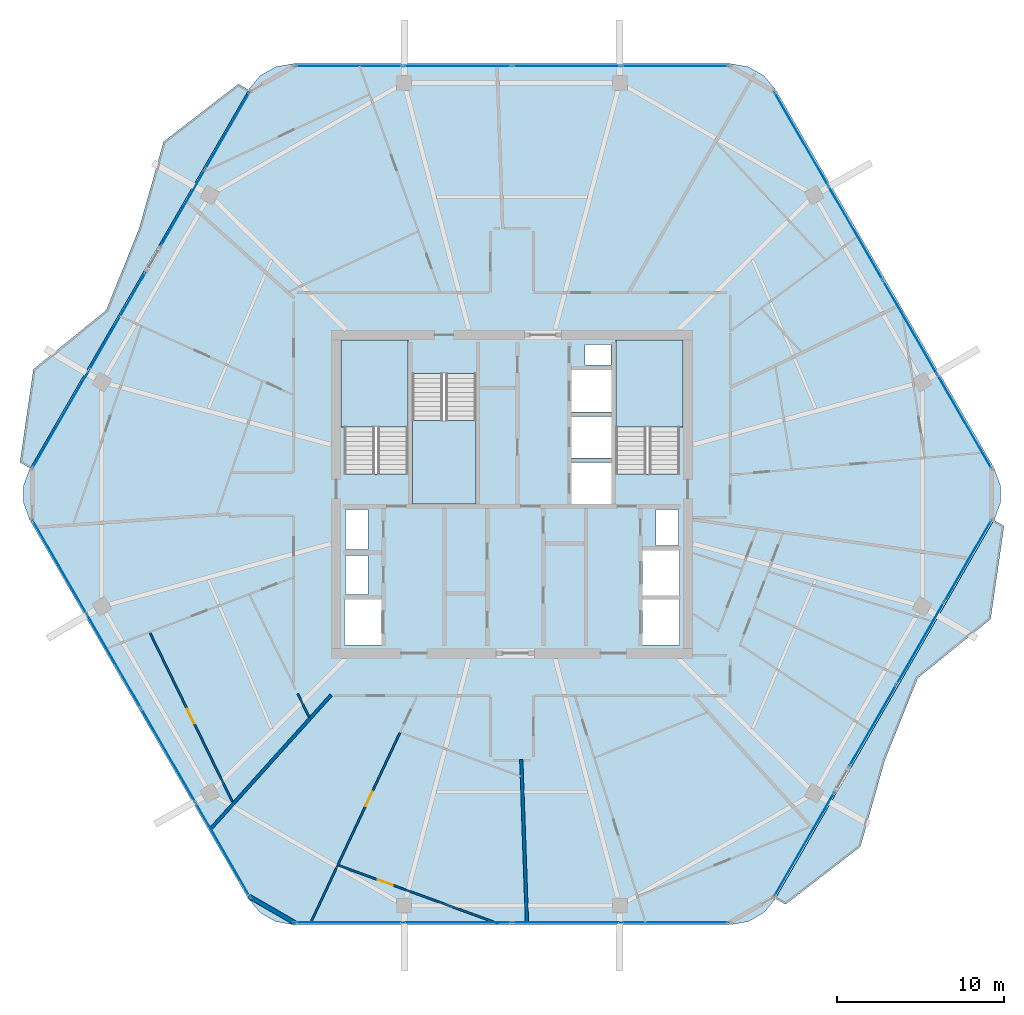
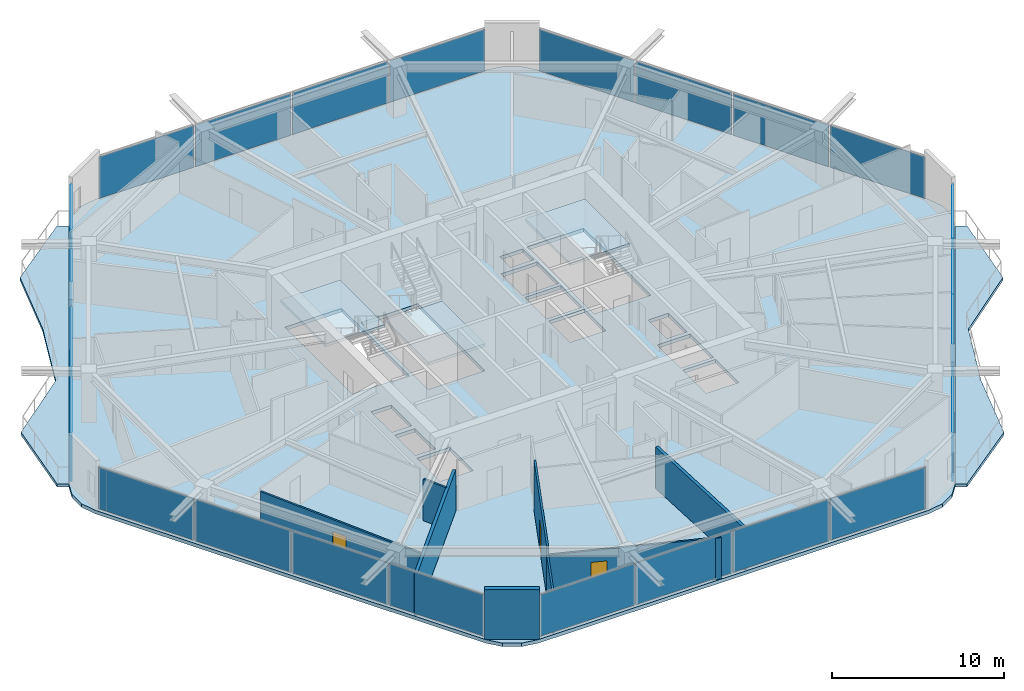
# One storey, part 17 of 25: 24 plates, 8 walls, 6 slabs, 3 doors, 3 openings, 11 elements without a shape of their own.
"""IFC4 building model written with IfcOpenShell, lengths in metres."""

from ifc_helpers import new_model, si_unit, direction, frame, frame_2d, origin, origin_2d, place, context, subcontext, project, spatial, polyline, rectangle, outline, extrude, material, layer, layer_set, type_object, element, fill, aggregate, save


model = new_model("IFC4")

# Units and contexts
model_context = context("Model", 3, precision=1e-05, world=origin(), true_north=direction((0.0, 1.0)))
body_context = subcontext(model_context, "Body", "Model", "MODEL_VIEW")
ifc_project = project(units=[si_unit("LENGTHUNIT", "METRE"), si_unit("AREAUNIT", "SQUARE_METRE"), si_unit("VOLUMEUNIT", "CUBIC_METRE"), si_unit("PLANEANGLEUNIT", "RADIAN"), si_unit("MASSUNIT", "GRAM", prefix="KILO")], contexts=[model_context])

# Site, building, storey
site_placement = place(None, origin())
site = spatial("IfcSite", under=ifc_project, at=site_placement, CompositionType="ELEMENT")
building_placement = place(site_placement, origin())
building = spatial("IfcBuilding", under=site, at=building_placement, Name="Zuhravey Tower", CompositionType="ELEMENT")
storey_placement = place(building_placement, frame((0.0, 0.0, 235.0)))
storey = spatial("IfcBuildingStorey", under=building, at=storey_placement, Name="L59", CompositionType="ELEMENT", Elevation=235.0)

# Slabs
ifc_material_1 = material(Name="Concrete C50/60", Category="concrete")
ifc_layer_1 = layer(ifc_material_1, 0.25)
ifc_layer_set_1 = layer_set([ifc_layer_1], Name="Concrete C50/60")
slab_type_1 = type_object("IfcSlabType", Name="Residential Acoustic Slab 250", PredefinedType="FLOOR", material=ifc_layer_set_1)
slab_1_placement = place(storey_placement, frame((0.0, 0.0, -0.25)))
element("IfcSlab", 1, at=slab_1_placement, inside=storey, type_object=slab_type_1, Name="L59 Floor Slab FS25", PredefinedType="FLOOR", context=body_context, shape_type="SweptSolid", body=[
    extrude(outline(polyline([(64.78515625, 30.449951171875), (65.1533203125, 31.461669921875), (65.1533203125, 32.538330078125), (64.78515625, 33.550048828125), (51.73486328125, 56.153564453125), (51.04296875, 56.978515625), (50.110595703125, 57.5166015625), (49.05029296875, 57.70361328125), (22.94970703125, 57.70361328125), (21.889404296875, 57.5166015625), (20.95703125, 56.978515625), (20.26513671875, 56.153564453125), (7.21484375, 33.550048828125), (6.8466796875, 32.538330078125), (6.8466796875, 31.461669921875), (7.21484375, 30.449951171875), (20.26513671875, 7.846435546875), (20.95703125, 7.021484375), (21.889404296875, 6.4833984375), (22.94970703125, 6.29638671875), (49.05029296875, 6.29638671875), (50.110595703125, 6.4833984375), (51.04296875, 7.021484375), (51.73486328125, 7.846435546875), (64.78515625, 30.449951171875)]), holes=[polyline([(29.800048828125, 33.20068359375), (29.800048828125, 41.0), (26.0, 41.0), (26.0, 33.20068359375), (29.800048828125, 33.20068359375)]), polyline([(46.0, 33.20068359375), (46.0, 41.0), (42.199951171875, 41.0), (42.199951171875, 33.20068359375), (46.0, 33.20068359375)]), polyline([(30.050048828125, 39.199462890625), (30.050048828125, 31.39990234375), (33.85009765625, 31.39990234375), (33.85009765625, 39.199462890625), (30.050048828125, 39.199462890625)]), polyline([(39.550048828125, 31.39990234375), (41.949951171875, 31.39990234375), (41.949951171875, 33.89990234375), (39.550048828125, 33.89990234375), (39.550048828125, 31.39990234375)]), polyline([(39.550048828125, 34.14990234375), (41.949951171875, 34.14990234375), (41.949951171875, 36.64990234375), (39.550048828125, 36.64990234375), (39.550048828125, 34.14990234375)]), polyline([(39.550048828125, 36.89990234375), (41.949951171875, 36.89990234375), (41.949951171875, 39.39990234375), (39.550048828125, 39.39990234375), (39.550048828125, 36.89990234375)]), polyline([(26.0, 23.0), (28.199951171875, 23.0), (28.199951171875, 25.699951171875), (26.0, 25.699951171875), (26.0, 23.0)]), polyline([(43.800048828125, 23.0), (46.0, 23.0), (46.0, 25.699951171875), (43.800048828125, 25.699951171875), (43.800048828125, 23.0)]), polyline([(43.800048828125, 25.949951171875), (46.0, 25.949951171875), (46.0, 28.64990234375), (43.800048828125, 28.64990234375), (43.800048828125, 25.949951171875)]), polyline([(26.050048828125, 26.0), (27.39990234375, 26.0), (27.39990234375, 28.35009765625), (26.050048828125, 28.35009765625), (26.050048828125, 26.0)]), polyline([(26.050048828125, 28.699951171875), (27.39990234375, 28.699951171875), (27.39990234375, 31.10009765625), (26.050048828125, 31.10009765625), (26.050048828125, 28.699951171875)]), polyline([(44.60009765625, 28.949951171875), (45.949951171875, 28.949951171875), (45.949951171875, 31.10009765625), (44.60009765625, 31.10009765625), (44.60009765625, 28.949951171875)]), polyline([(40.35009765625, 39.699951171875), (41.89990234375, 39.699951171875), (41.89990234375, 40.949951171875), (40.35009765625, 40.949951171875), (40.35009765625, 39.699951171875)])]), origin(), (0.0, 0.0, 1.0), 0.25),
])
ifc_material_2 = material(Name="Concrete C40/50", Category="concrete")
ifc_layer_2 = layer(ifc_material_2, 0.219970703125)
ifc_layer_set_2 = layer_set([ifc_layer_2], Name="Concrete C40/50")
slab_type_2 = type_object("IfcSlabType", Name="Sinusoidal Residential Wave Balcony 220", PredefinedType="FLOOR", material=ifc_layer_set_2)
slab_2_placement = place(storey_placement, frame((0.0, 0.0, -0.219970703125)))
element("IfcSlab", 2, at=slab_2_placement, inside=storey, type_object=slab_type_2, Name="L59 Face 6 Wave Balcony WB22", PredefinedType="FLOOR", context=body_context, shape_type="SweptSolid", body=[
    extrude(outline(polyline([(51.726318359375, 7.861328125), (64.767822265625, 30.449951171875), (65.3740234375, 30.10009765625), (64.5712890625, 24.539794921875), (60.225830078125, 21.02490234375), (58.259521484375, 16.13671875), (56.798095703125, 10.956787109375), (52.33251953125, 7.511474609375), (51.726318359375, 7.861328125)])), origin(), (0.0, 0.0, 1.0), 0.219970703125),
])
slab_3_placement = place(storey_placement, frame((0.0, 0.0, -0.219970703125)))
element("IfcSlab", 3, at=slab_3_placement, inside=storey, type_object=slab_type_2, Name="L59 Face 3 Wave Balcony WB22", PredefinedType="FLOOR", context=body_context, shape_type="SweptSolid", body=[
    extrude(outline(polyline([(20.273681640625, 56.138671875), (7.232177734375, 33.550048828125), (6.6259765625, 33.89990234375), (7.4287109375, 39.460205078125), (11.774169921875, 42.97509765625), (13.740478515625, 47.86328125), (15.201904296875, 53.043212890625), (19.66748046875, 56.488525390625), (20.273681640625, 56.138671875)])), origin(), (0.0, 0.0, 1.0), 0.219970703125),
])

# Stair, slab
stair_type = type_object("IfcStairType", Name="Housing Storey Stair Assembly 3800", PredefinedType="HALF_TURN_STAIR", material=ifc_material_2)
stair_1_placement = place(storey_placement, origin())
stair_1 = element("IfcStair", 4, at=stair_1_placement, inside=storey, type_object=stair_type, Name="L59 Core Exit Stair ST1", PredefinedType="HALF_TURN_STAIR")
ifc_layer_3 = layer(ifc_material_2, 0.199951171875)
ifc_layer_set_3 = layer_set([ifc_layer_3], Name="Concrete C40/50")
slab_type_3 = type_object("IfcSlabType", Name="Stair Landing Slab 200", PredefinedType="LANDING", material=ifc_layer_set_3)
slab_4_placement = place(storey_placement, frame((0.0, 0.0, 1.699951171875)))
slab_4 = element("IfcSlab", 5, at=slab_4_placement, type_object=slab_type_3, Name="ST1 landing 1", PredefinedType="LANDING", context=body_context, shape_type="SweptSolid", body=[
    extrude(outline(polyline([(29.800048828125, 36.0), (29.800048828125, 41.197998046875), (25.802001953125, 41.197998046875), (25.802001953125, 36.0), (29.800048828125, 36.0)])), origin(), (0.0, 0.0, 1.0), 0.199951171875),
])
aggregate(stair_1, [slab_4])

stair_2_placement = place(storey_placement, origin())
stair_2 = element("IfcStair", 6, at=stair_2_placement, inside=storey, type_object=stair_type, Name="L59 Core Exit Stair ST2", PredefinedType="HALF_TURN_STAIR")
slab_5_placement = place(storey_placement, frame((0.0, 0.0, 1.699951171875)))
slab_5 = element("IfcSlab", 7, at=slab_5_placement, type_object=slab_type_3, Name="ST2 landing 1", PredefinedType="LANDING", context=body_context, shape_type="SweptSolid", body=[
    extrude(outline(polyline([(46.197998046875, 36.0), (46.197998046875, 41.197998046875), (42.199951171875, 41.197998046875), (42.199951171875, 36.0), (46.197998046875, 36.0)])), origin(), (0.0, 0.0, 1.0), 0.199951171875),
])
aggregate(stair_2, [slab_5])

stair_3_placement = place(storey_placement, origin())
stair_3 = element("IfcStair", 8, at=stair_3_placement, inside=storey, type_object=stair_type, Name="L59 Core Exit Stair ST3", PredefinedType="HALF_TURN_STAIR")
slab_6_placement = place(storey_placement, frame((0.0, 0.0, 1.699951171875)))
slab_6 = element("IfcSlab", 9, at=slab_6_placement, type_object=slab_type_3, Name="ST3 landing 1", PredefinedType="LANDING", context=body_context, shape_type="SweptSolid", body=[
    extrude(outline(polyline([(30.050048828125, 36.39990234375), (30.050048828125, 31.39990234375), (33.85009765625, 31.39990234375), (33.85009765625, 36.39990234375), (30.050048828125, 36.39990234375)])), origin(), (0.0, 0.0, 1.0), 0.199951171875),
])
aggregate(stair_3, [slab_6])

# Curtain wall, plates
ifc_material_3 = material(Name="Thermally broken anodised aluminium", Category="aluminium")
curtain_wall_type = type_object("IfcCurtainWallType", Name="Zone 3-4 High-Rise Curtain Wall CW4", PredefinedType="NOTDEFINED", material=ifc_material_3)
curtain_wall_1_placement = place(storey_placement, origin())
curtain_wall_1 = element("IfcCurtainWall", 10, at=curtain_wall_1_placement, inside=storey, type_object=curtain_wall_type, Name="L59 CW4 CW-L59-F6-1", PredefinedType="NOTDEFINED")
ifc_material_4 = material(Name="Triple low-E insulated vision glass", Category="glass")
ifc_layer_4 = layer(ifc_material_4, 0.0419921875)
ifc_layer_set_4 = layer_set([ifc_layer_4], Name="Triple low-E insulated vision glass")
plate_type = type_object("IfcPlateType", Name="Triple Low-E Vision Panel", PredefinedType="CURTAIN_PANEL", material=ifc_layer_set_4)
plate_1_placement = place(storey_placement, frame((63.212646484375, 28.00634765625, 0.090087890625), z_axis=(0.0, 0.0, 1.0), x_axis=(-0.500002784421, -0.866023796192, 0.0)))
plate_1 = element("IfcPlate", 11, at=plate_1_placement, type_object=plate_type, Name="CW4 panel 1.1", PredefinedType="CURTAIN_PANEL", context=body_context, shape_type="SweptSolid", body=[
    extrude(rectangle(XDim=5.550048828125, YDim=0.0419921875, at=origin_2d()), origin(), (0.0, 0.0, 1.0), 2.94189453125),
])
plate_2_placement = place(storey_placement, frame((60.38134765625, 23.102294921875, 0.090087890625), z_axis=(0.0, 0.0, 1.0), x_axis=(-0.500002784421, -0.866023796192, 0.0)))
plate_2 = element("IfcPlate", 12, at=plate_2_placement, type_object=plate_type, Name="CW4 panel 2.1", PredefinedType="CURTAIN_PANEL", context=body_context, shape_type="SweptSolid", body=[
    extrude(rectangle(XDim=5.59521484375, YDim=0.0419921875, at=origin_2d()), origin(), (0.0, 0.0, 1.0), 2.94189453125),
])
plate_3_placement = place(storey_placement, frame((57.550048828125, 18.198486328125, 0.090087890625), z_axis=(0.0, 0.0, 1.0), x_axis=(-0.500002784421, -0.866023796192, 0.0)))
plate_3 = element("IfcPlate", 13, at=plate_3_placement, type_object=plate_type, Name="CW4 panel 3.1", PredefinedType="CURTAIN_PANEL", context=body_context, shape_type="SweptSolid", body=[
    extrude(rectangle(XDim=5.550048828125, YDim=0.0419921875, at=origin_2d()), origin(), (0.0, 0.0, 1.0), 2.94189453125),
])
aggregate(curtain_wall_1, [plate_1, plate_2, plate_3])

# Curtain wall, plate
curtain_wall_2_placement = place(storey_placement, origin())
curtain_wall_2 = element("IfcCurtainWall", 14, at=curtain_wall_2_placement, inside=storey, type_object=curtain_wall_type, Name="L59 CW4 CW-L59-F6-2", PredefinedType="NOTDEFINED")
plate_4_placement = place(storey_placement, frame((53.449951171875, 11.096923828125, 0.090087890625), z_axis=(0.0, 0.0, 1.0), x_axis=(-0.500000279083, -0.866025242656, 0.0)))
plate_4 = element("IfcPlate", 15, at=plate_4_placement, type_object=plate_type, Name="CW4 panel 1.1", PredefinedType="CURTAIN_PANEL", context=body_context, shape_type="SweptSolid", body=[
    extrude(rectangle(XDim=7.090087890625, YDim=0.0419921875, at=origin_2d()), origin(), (0.0, 0.0, 1.0), 2.94189453125),
])
aggregate(curtain_wall_2, [plate_4])

# Curtain wall, plates
curtain_wall_3_placement = place(storey_placement, origin())
curtain_wall_3 = element("IfcCurtainWall", 16, at=curtain_wall_3_placement, inside=storey, type_object=curtain_wall_type, Name="L59 CW4 CW-L59-F5-1", PredefinedType="NOTDEFINED")
plate_5_placement = place(storey_placement, frame((45.737060546875, 6.436279296875, 0.090087890625), z_axis=(0.0, 0.0, 1.0), x_axis=(-1.0, 0.0, 0.0)))
plate_5 = element("IfcPlate", 17, at=plate_5_placement, type_object=plate_type, Name="CW4 panel 1.1", PredefinedType="CURTAIN_PANEL", context=body_context, shape_type="SweptSolid", body=[
    extrude(rectangle(XDim=6.371337890625, YDim=0.0419921875, at=origin_2d()), origin(), (0.0, 0.0, 1.0), 2.94189453125),
])
plate_6_placement = place(storey_placement, frame((39.253173828125, 6.436279296875, 0.090087890625), z_axis=(0.0, 0.0, 1.0), x_axis=(-1.0, 0.0, 0.0)))
plate_6 = element("IfcPlate", 18, at=plate_6_placement, type_object=plate_type, Name="CW4 panel 2.1", PredefinedType="CURTAIN_PANEL", context=body_context, shape_type="SweptSolid", body=[
    extrude(rectangle(XDim=6.416259765625, YDim=0.0419921875, at=origin_2d()), origin(), (0.0, 0.0, 1.0), 2.94189453125),
])
plate_7_placement = place(storey_placement, frame((32.746826171875, 6.436279296875, 0.090087890625), z_axis=(0.0, 0.0, 1.0), x_axis=(-1.0, 0.0, 0.0)))
plate_7 = element("IfcPlate", 19, at=plate_7_placement, type_object=plate_type, Name="CW4 panel 3.1", PredefinedType="CURTAIN_PANEL", context=body_context, shape_type="SweptSolid", body=[
    extrude(rectangle(XDim=6.416259765625, YDim=0.0419921875, at=origin_2d()), origin(), (0.0, 0.0, 1.0), 2.94189453125),
])
plate_8_placement = place(storey_placement, frame((26.262939453125, 6.436279296875, 0.090087890625), z_axis=(0.0, 0.0, 1.0), x_axis=(-1.0, 0.0, 0.0)))
plate_8 = element("IfcPlate", 20, at=plate_8_placement, type_object=plate_type, Name="CW4 panel 4.1", PredefinedType="CURTAIN_PANEL", context=body_context, shape_type="SweptSolid", body=[
    extrude(rectangle(XDim=6.371337890625, YDim=0.0419921875, at=origin_2d()), origin(), (0.0, 0.0, 1.0), 2.94189453125),
])
aggregate(curtain_wall_3, [plate_5, plate_6, plate_7, plate_8])

curtain_wall_4_placement = place(storey_placement, origin())
curtain_wall_4 = element("IfcCurtainWall", 21, at=curtain_wall_4_placement, inside=storey, type_object=curtain_wall_type, Name="L59 CW4 CW-L59-F4-1", PredefinedType="NOTDEFINED")
plate_9_placement = place(storey_placement, frame((18.729736328125, 10.78564453125, 0.090087890625), z_axis=(0.0, 0.0, 1.0), x_axis=(-0.500000957414, 0.866024851021, 0.0)))
plate_9 = element("IfcPlate", 22, at=plate_9_placement, type_object=plate_type, Name="CW4 panel 1.1", PredefinedType="CURTAIN_PANEL", context=body_context, shape_type="SweptSolid", body=[
    extrude(rectangle(XDim=6.371337890625, YDim=0.0419921875, at=origin_2d()), origin(), (0.0, 0.0, 1.0), 2.94189453125),
])
plate_10_placement = place(storey_placement, frame((15.48779296875, 16.40087890625, 0.090087890625), z_axis=(0.0, 0.0, 1.0), x_axis=(-0.500000957414, 0.866024851021, 0.0)))
plate_10 = element("IfcPlate", 23, at=plate_10_placement, type_object=plate_type, Name="CW4 panel 2.1", PredefinedType="CURTAIN_PANEL", context=body_context, shape_type="SweptSolid", body=[
    extrude(rectangle(XDim=6.416259765625, YDim=0.0419921875, at=origin_2d()), origin(), (0.0, 0.0, 1.0), 2.94189453125),
])
plate_11_placement = place(storey_placement, frame((12.234619140625, 22.03564453125, 0.090087890625), z_axis=(0.0, 0.0, 1.0), x_axis=(-0.500000957414, 0.866024851021, 0.0)))
plate_11 = element("IfcPlate", 24, at=plate_11_placement, type_object=plate_type, Name="CW4 panel 3.1", PredefinedType="CURTAIN_PANEL", context=body_context, shape_type="SweptSolid", body=[
    extrude(rectangle(XDim=6.416259765625, YDim=0.0419921875, at=origin_2d()), origin(), (0.0, 0.0, 1.0), 2.94189453125),
])
plate_12_placement = place(storey_placement, frame((8.99267578125, 27.650634765625, 0.090087890625), z_axis=(0.0, 0.0, 1.0), x_axis=(-0.500000957414, 0.866024851021, 0.0)))
plate_12 = element("IfcPlate", 25, at=plate_12_placement, type_object=plate_type, Name="CW4 panel 4.1", PredefinedType="CURTAIN_PANEL", context=body_context, shape_type="SweptSolid", body=[
    extrude(rectangle(XDim=6.371337890625, YDim=0.0419921875, at=origin_2d()), origin(), (0.0, 0.0, 1.0), 2.94189453125),
])
aggregate(curtain_wall_4, [plate_9, plate_10, plate_11, plate_12])

curtain_wall_5_placement = place(storey_placement, origin())
curtain_wall_5 = element("IfcCurtainWall", 26, at=curtain_wall_5_placement, inside=storey, type_object=curtain_wall_type, Name="L59 CW4 CW-L59-F3-1", PredefinedType="NOTDEFINED")
plate_13_placement = place(storey_placement, frame((9.06640625, 36.47705078125, 0.090087890625), z_axis=(0.0, 0.0, 1.0), x_axis=(0.500002239829, 0.866024110615, 0.0)))
plate_13 = element("IfcPlate", 27, at=plate_13_placement, type_object=plate_type, Name="CW4 panel 1.1", PredefinedType="CURTAIN_PANEL", context=body_context, shape_type="SweptSolid", body=[
    extrude(rectangle(XDim=6.666259765625, YDim=0.0419921875, at=origin_2d()), origin(), (0.0, 0.0, 1.0), 2.94189453125),
])
plate_14_placement = place(storey_placement, frame((12.444580078125, 42.328125, 0.090087890625), z_axis=(0.0, 0.0, 1.0), x_axis=(0.500002239829, 0.866024110615, 0.0)))
plate_14 = element("IfcPlate", 28, at=plate_14_placement, type_object=plate_type, Name="CW4 panel 2.1", PredefinedType="CURTAIN_PANEL", context=body_context, shape_type="SweptSolid", body=[
    extrude(rectangle(XDim=6.666259765625, YDim=0.0419921875, at=origin_2d()), origin(), (0.0, 0.0, 1.0), 2.94189453125),
])
aggregate(curtain_wall_5, [plate_13, plate_14])

curtain_wall_6_placement = place(storey_placement, origin())
curtain_wall_6 = element("IfcCurtainWall", 29, at=curtain_wall_6_placement, inside=storey, type_object=curtain_wall_type, Name="L59 CW4 CW-L59-F3-2", PredefinedType="NOTDEFINED")
plate_15_placement = place(storey_placement, frame((16.35791015625, 49.10595703125, 0.090087890625), z_axis=(0.0, 0.0, 1.0), x_axis=(0.499997738327, 0.866026709558, 0.0)))
plate_15 = element("IfcPlate", 30, at=plate_15_placement, type_object=plate_type, Name="CW4 panel 1.1", PredefinedType="CURTAIN_PANEL", context=body_context, shape_type="SweptSolid", body=[
    extrude(rectangle(XDim=5.226318359375, YDim=0.0419921875, at=origin_2d()), origin(), (0.0, 0.0, 1.0), 2.94189453125),
])
plate_16_placement = place(storey_placement, frame((19.01611328125, 53.710205078125, 0.090087890625), z_axis=(0.0, 0.0, 1.0), x_axis=(0.499997738327, 0.866026709558, 0.0)))
plate_16 = element("IfcPlate", 31, at=plate_16_placement, type_object=plate_type, Name="CW4 panel 2.1", PredefinedType="CURTAIN_PANEL", context=body_context, shape_type="SweptSolid", body=[
    extrude(rectangle(XDim=5.226318359375, YDim=0.0419921875, at=origin_2d()), origin(), (0.0, 0.0, 1.0), 2.94189453125),
])
aggregate(curtain_wall_6, [plate_15, plate_16])

curtain_wall_7_placement = place(storey_placement, origin())
curtain_wall_7 = element("IfcCurtainWall", 32, at=curtain_wall_7_placement, inside=storey, type_object=curtain_wall_type, Name="L59 CW4 CW-L59-F2-1", PredefinedType="NOTDEFINED")
plate_17_placement = place(storey_placement, frame((26.262939453125, 57.563720703125, 0.090087890625), z_axis=(0.0, 0.0, 1.0), x_axis=(1.0, 0.0, 0.0)))
plate_17 = element("IfcPlate", 33, at=plate_17_placement, type_object=plate_type, Name="CW4 panel 1.1", PredefinedType="CURTAIN_PANEL", context=body_context, shape_type="SweptSolid", body=[
    extrude(rectangle(XDim=6.371337890625, YDim=0.0419921875, at=origin_2d()), origin(), (0.0, 0.0, 1.0), 2.94189453125),
])
plate_18_placement = place(storey_placement, frame((32.746826171875, 57.563720703125, 0.090087890625), z_axis=(0.0, 0.0, 1.0), x_axis=(1.0, 0.0, 0.0)))
plate_18 = element("IfcPlate", 34, at=plate_18_placement, type_object=plate_type, Name="CW4 panel 2.1", PredefinedType="CURTAIN_PANEL", context=body_context, shape_type="SweptSolid", body=[
    extrude(rectangle(XDim=6.416259765625, YDim=0.0419921875, at=origin_2d()), origin(), (0.0, 0.0, 1.0), 2.94189453125),
])
plate_19_placement = place(storey_placement, frame((39.253173828125, 57.563720703125, 0.090087890625), z_axis=(0.0, 0.0, 1.0), x_axis=(1.0, 0.0, 0.0)))
plate_19 = element("IfcPlate", 35, at=plate_19_placement, type_object=plate_type, Name="CW4 panel 3.1", PredefinedType="CURTAIN_PANEL", context=body_context, shape_type="SweptSolid", body=[
    extrude(rectangle(XDim=6.416259765625, YDim=0.0419921875, at=origin_2d()), origin(), (0.0, 0.0, 1.0), 2.94189453125),
])
plate_20_placement = place(storey_placement, frame((45.737060546875, 57.563720703125, 0.090087890625), z_axis=(0.0, 0.0, 1.0), x_axis=(1.0, 0.0, 0.0)))
plate_20 = element("IfcPlate", 36, at=plate_20_placement, type_object=plate_type, Name="CW4 panel 4.1", PredefinedType="CURTAIN_PANEL", context=body_context, shape_type="SweptSolid", body=[
    extrude(rectangle(XDim=6.371337890625, YDim=0.0419921875, at=origin_2d()), origin(), (0.0, 0.0, 1.0), 2.94189453125),
])
aggregate(curtain_wall_7, [plate_17, plate_18, plate_19, plate_20])

curtain_wall_8_placement = place(storey_placement, origin())
curtain_wall_8 = element("IfcCurtainWall", 37, at=curtain_wall_8_placement, inside=storey, type_object=curtain_wall_type, Name="L59 CW4 CW-L59-F1-1", PredefinedType="NOTDEFINED")
plate_21_placement = place(storey_placement, frame((53.270263671875, 53.21435546875, 0.090087890625), z_axis=(0.0, 0.0, 1.0), x_axis=(0.500000957414, -0.866024851021, 0.0)))
plate_21 = element("IfcPlate", 38, at=plate_21_placement, type_object=plate_type, Name="CW4 panel 1.1", PredefinedType="CURTAIN_PANEL", context=body_context, shape_type="SweptSolid", body=[
    extrude(rectangle(XDim=6.371337890625, YDim=0.0419921875, at=origin_2d()), origin(), (0.0, 0.0, 1.0), 2.94189453125),
])
plate_22_placement = place(storey_placement, frame((56.51220703125, 47.59912109375, 0.090087890625), z_axis=(0.0, 0.0, 1.0), x_axis=(0.500000957414, -0.866024851021, 0.0)))
plate_22 = element("IfcPlate", 39, at=plate_22_placement, type_object=plate_type, Name="CW4 panel 2.1", PredefinedType="CURTAIN_PANEL", context=body_context, shape_type="SweptSolid", body=[
    extrude(rectangle(XDim=6.416259765625, YDim=0.0419921875, at=origin_2d()), origin(), (0.0, 0.0, 1.0), 2.94189453125),
])
plate_23_placement = place(storey_placement, frame((59.765380859375, 41.96435546875, 0.090087890625), z_axis=(0.0, 0.0, 1.0), x_axis=(0.500000957414, -0.866024851021, 0.0)))
plate_23 = element("IfcPlate", 40, at=plate_23_placement, type_object=plate_type, Name="CW4 panel 3.1", PredefinedType="CURTAIN_PANEL", context=body_context, shape_type="SweptSolid", body=[
    extrude(rectangle(XDim=6.416259765625, YDim=0.0419921875, at=origin_2d()), origin(), (0.0, 0.0, 1.0), 2.94189453125),
])
plate_24_placement = place(storey_placement, frame((63.00732421875, 36.349365234375, 0.090087890625), z_axis=(0.0, 0.0, 1.0), x_axis=(0.500000957414, -0.866024851021, 0.0)))
plate_24 = element("IfcPlate", 41, at=plate_24_placement, type_object=plate_type, Name="CW4 panel 4.1", PredefinedType="CURTAIN_PANEL", context=body_context, shape_type="SweptSolid", body=[
    extrude(rectangle(XDim=6.371337890625, YDim=0.0419921875, at=origin_2d()), origin(), (0.0, 0.0, 1.0), 2.94189453125),
])
aggregate(curtain_wall_8, [plate_21, plate_22, plate_23, plate_24])

# Walls
ifc_material_5 = material(Name="Precast concrete C40/50", Category="concrete")
ifc_layer_5 = layer(ifc_material_5, 0.280029296875)
ifc_layer_set_5 = layer_set([ifc_layer_5], Name="Precast concrete C40/50")
wall_type_1 = type_object("IfcWallType", Name="Crown Architectural Wall 280", PredefinedType="SOLIDWALL", material=ifc_layer_set_5)
wall_1_placement = place(storey_placement, frame((23.069580078125, 6.388916015625, 0.0), z_axis=(0.0, 0.0, 1.0), x_axis=(-0.866028773314, 0.499994163758, 0.0)))
element("IfcWall", 42, at=wall_1_placement, inside=storey, type_object=wall_type_1, Name="L59 Rounded Corner Closure Wall EW28-04", PredefinedType="SOLIDWALL", context=body_context, shape_type="SweptSolid", body=[
    extrude(rectangle(XDim=3.21484375, YDim=0.280029296875, at=frame_2d((1.607421875, 0.0))), origin(), (0.0, 0.0, 1.0), 3.550048828125),
])
ifc_material_6 = material(Name="Gypsum double-stud party assembly")
ifc_layer_6 = layer(ifc_material_6, 0.199951171875)
ifc_layer_set_6 = layer_set([ifc_layer_6], Name="Gypsum double-stud party assembly")
wall_type_2 = type_object("IfcWallType", Name="Inter-Tenancy Party Wall 200", PredefinedType="PARTITIONING", material=ifc_layer_set_6)
wall_2_placement = place(storey_placement, frame((25.2041015625, 20.010009765625, 0.0), z_axis=(0.0, 0.0, 1.0), x_axis=(-0.669124143022, -0.743150645041, 0.0)))
element("IfcWall", 43, at=wall_2_placement, inside=storey, type_object=wall_type_2, Name="L59 IW20 Partition 071", PredefinedType="PARTITIONING", context=body_context, shape_type="SweptSolid", body=[
    extrude(rectangle(XDim=10.744873046875, YDim=0.199951171875, at=frame_2d((5.37255859375, 0.0))), origin(), (0.0, 0.0, 1.0), 2.929931640625),
])
wall_3_placement = place(storey_placement, frame((36.552978515625, 16.159912109375, 0.0), z_axis=(0.0, 0.0, 1.0), x_axis=(0.034903897424, -0.999390673333, 0.0)))
element("IfcWall", 44, at=wall_3_placement, inside=storey, type_object=wall_type_2, Name="L59 IW20 Partition 075", PredefinedType="PARTITIONING", context=body_context, shape_type="SweptSolid", body=[
    extrude(rectangle(XDim=9.7294921875, YDim=0.199951171875, at=frame_2d((4.86474609375, 0.0))), origin(), (0.0, 0.0, 1.0), 2.929931640625),
])

# Wall, opening, door
ifc_material_7 = material(Name="Gypsum metal-stud partition")
ifc_layer_7 = layer(ifc_material_7, 0.1201171875)
ifc_layer_set_7 = layer_set([ifc_layer_7], Name="Gypsum metal-stud partition")
wall_type_3 = type_object("IfcWallType", Name="Unit Internal Partition 120", PredefinedType="PARTITIONING", material=ifc_layer_set_7)
wall_4_placement = place(storey_placement, frame((14.39599609375, 23.703369140625, 0.0), z_axis=(0.0, 0.0, 1.0), x_axis=(0.438369959887, -0.898794625189, 0.0)))
wall_4 = element("IfcWall", 45, at=wall_4_placement, inside=storey, type_object=wall_type_3, Name="L59 IW12 Partition 031", PredefinedType="PARTITIONING", context=body_context, shape_type="SweptSolid", body=[
    extrude(rectangle(XDim=11.20263671875, YDim=0.1201171875, at=frame_2d((5.601318359375, 0.0))), origin(), (0.0, 0.0, 1.0), 2.949951171875),
])
opening_1_placement = place(wall_4_placement, frame((5.0419921875, 0.0, 0.0)))
opening_1 = element("IfcOpeningElement", 46, at=opening_1_placement, cuts=wall_4, Name="Opening IND1", PredefinedType="OPENING", context=body_context, shape_type="SweptSolid", body=[
    extrude(rectangle(XDim=0.949951171875, YDim=2.10009765625, at=frame_2d((0.47509765625, 1.050048828125))), frame((0.0, 0.072021484375, 0.0), z_axis=(0.0, -1.0, 0.0), x_axis=(1.0, 0.0, 0.0)), (0.0, 0.0, 1.0), 0.14404296875),
])
ifc_material_8 = material(Name="Painted engineered timber leaf", Category="wood")
door_type = type_object("IfcDoorType", Name="Internal Room & Bedroom Door 950x2100", OperationType="NOTDEFINED", PredefinedType="DOOR", material=ifc_material_8)
door_1_placement = place(opening_1_placement, frame((0.949951171875, 0.0, 0.0), z_axis=(0.0, 0.0, 1.0), x_axis=(-1.0, 0.0, 0.0)))
door_1 = element("IfcDoor", 47, at=door_1_placement, inside=storey, type_object=door_type, Name="Apartment L59-03 Bedroom 1 Door", OperationType="SINGLE_SWING_RIGHT", OverallHeight=2.10009765625, OverallWidth=0.949951171875, PredefinedType="DOOR", context=body_context, shape_type="SweptSolid", body=[
    extrude(rectangle(XDim=0.949951171875, YDim=2.10009765625, at=frame_2d((0.47509765625, 1.050048828125))), frame((0.0, 0.02490234375, 0.0), z_axis=(0.0, -1.0, 0.0), x_axis=(1.0, 0.0, 0.0)), (0.0, 0.0, 1.0), 0.050048828125),
])
fill(opening_1, door_1)

wall_5_placement = place(storey_placement, frame((29.30859375, 17.75439453125, 0.0), z_axis=(0.0, 0.0, 1.0), x_axis=(-0.425138894448, -0.905128123763, 0.0)))
wall_5 = element("IfcWall", 48, at=wall_5_placement, inside=storey, type_object=wall_type_3, Name="L59 IW12 Partition 034", PredefinedType="PARTITIONING", context=body_context, shape_type="SweptSolid", body=[
    extrude(rectangle(XDim=8.755126953125, YDim=0.1201171875, at=frame_2d((4.37744140625, 0.0))), origin(), (0.0, 0.0, 1.0), 3.550048828125),
])
opening_2_placement = place(wall_5_placement, frame((3.87744140625, 0.0, 0.0)))
opening_2 = element("IfcOpeningElement", 49, at=opening_2_placement, cuts=wall_5, Name="Opening IND1", PredefinedType="OPENING", context=body_context, shape_type="SweptSolid", body=[
    extrude(rectangle(XDim=0.949951171875, YDim=2.10009765625, at=frame_2d((0.47509765625, 1.050048828125))), frame((0.0, 0.072021484375, 0.0), z_axis=(0.0, -1.0, 0.0), x_axis=(1.0, 0.0, 0.0)), (0.0, 0.0, 1.0), 0.14404296875),
])
door_2_placement = place(opening_2_placement, origin())
door_2 = element("IfcDoor", 50, at=door_2_placement, inside=storey, type_object=door_type, Name="Apartment L59-04 Home Office Door", OperationType="SINGLE_SWING_LEFT", OverallHeight=2.10009765625, OverallWidth=0.949951171875, PredefinedType="DOOR", context=body_context, shape_type="SweptSolid", body=[
    extrude(rectangle(XDim=0.949951171875, YDim=2.10009765625, at=frame_2d((0.47509765625, 1.050048828125))), frame((0.0, 0.02490234375, 0.0), z_axis=(0.0, -1.0, 0.0), x_axis=(1.0, 0.0, 0.0)), (0.0, 0.0, 1.0), 0.050048828125),
])
fill(opening_2, door_2)

wall_6_placement = place(storey_placement, frame((25.661376953125, 9.8291015625, 0.0), z_axis=(0.0, 0.0, 1.0), x_axis=(0.939695099279, -0.342013333644, 0.0)))
wall_6 = element("IfcWall", 51, at=wall_6_placement, inside=storey, type_object=wall_type_3, Name="L59 IW12 Partition 035", PredefinedType="PARTITIONING", context=body_context, shape_type="SweptSolid", body=[
    extrude(rectangle(XDim=10.153564453125, YDim=0.1201171875, at=frame_2d((5.07666015625, 0.0))), origin(), (0.0, 0.0, 1.0), 2.929931640625),
])
opening_3_placement = place(wall_6_placement, frame((2.4697265625, 0.0, 0.0)))
opening_3 = element("IfcOpeningElement", 52, at=opening_3_placement, cuts=wall_6, Name="Opening IND1", PredefinedType="OPENING", context=body_context, shape_type="SweptSolid", body=[
    extrude(rectangle(XDim=0.949951171875, YDim=2.10009765625, at=frame_2d((0.47509765625, 1.050048828125))), frame((0.0, 0.072021484375, 0.0), z_axis=(0.0, -1.0, 0.0), x_axis=(1.0, 0.0, 0.0)), (0.0, 0.0, 1.0), 0.14404296875),
])
door_3_placement = place(opening_3_placement, frame((0.949951171875, 0.0, 0.0), z_axis=(0.0, 0.0, 1.0), x_axis=(-1.0, 0.0, 0.0)))
door_3 = element("IfcDoor", 53, at=door_3_placement, inside=storey, type_object=door_type, Name="Apartment L59-04 Bedroom 1 Door", OperationType="SINGLE_SWING_RIGHT", OverallHeight=2.10009765625, OverallWidth=0.949951171875, PredefinedType="DOOR", context=body_context, shape_type="SweptSolid", body=[
    extrude(rectangle(XDim=0.949951171875, YDim=2.10009765625, at=frame_2d((0.47509765625, 1.050048828125))), frame((0.0, 0.02490234375, 0.0), z_axis=(0.0, -1.0, 0.0), x_axis=(1.0, 0.0, 0.0)), (0.0, 0.0, 1.0), 0.050048828125),
])
fill(opening_3, door_3)

# Walls
wall_7_placement = place(storey_placement, frame((23.20458984375, 20.090087890625, 0.0), z_axis=(0.0, 0.0, 1.0), x_axis=(0.43839655559, -0.898781653154, 0.0)))
element("IfcWall", 54, at=wall_7_placement, inside=storey, type_object=wall_type_3, Name="L59 IW12 Partition 070", PredefinedType="PARTITIONING", context=body_context, shape_type="SweptSolid", body=[
    extrude(rectangle(XDim=1.598876953125, YDim=0.1201171875, at=frame_2d((0.79931640625, 0.0))), origin(), (0.0, 0.0, 1.0), 2.949951171875),
])
wall_8_placement = place(storey_placement, frame((25.58642578125, 9.829833984375, 0.0), z_axis=(0.0, 0.0, 1.0), x_axis=(-0.425163933355, -0.90511636256, 0.0)))
element("IfcWall", 55, at=wall_8_placement, inside=storey, type_object=wall_type_3, Name="L59 IW12 Partition 073", PredefinedType="PARTITIONING", context=body_context, shape_type="SweptSolid", body=[
    extrude(rectangle(XDim=3.751953125, YDim=0.1201171875, at=frame_2d((1.8759765625, 0.0))), origin(), (0.0, 0.0, 1.0), 2.929931640625),
])

save(model, "model.ifc")
